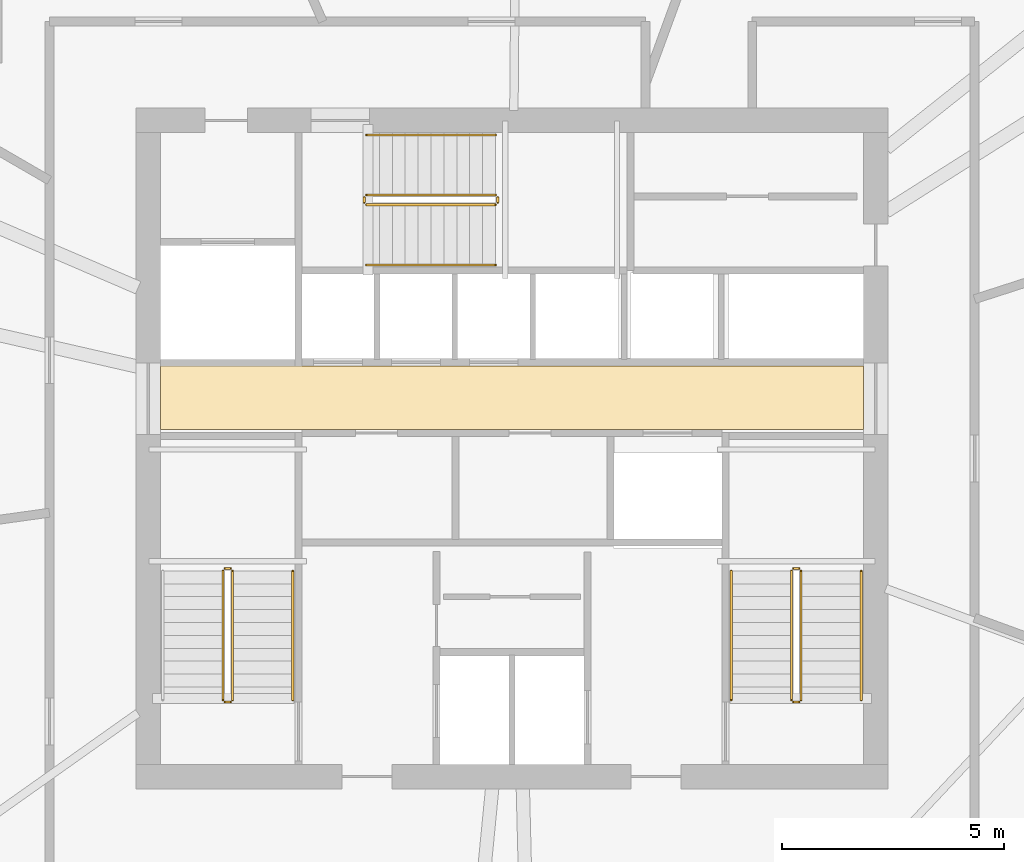
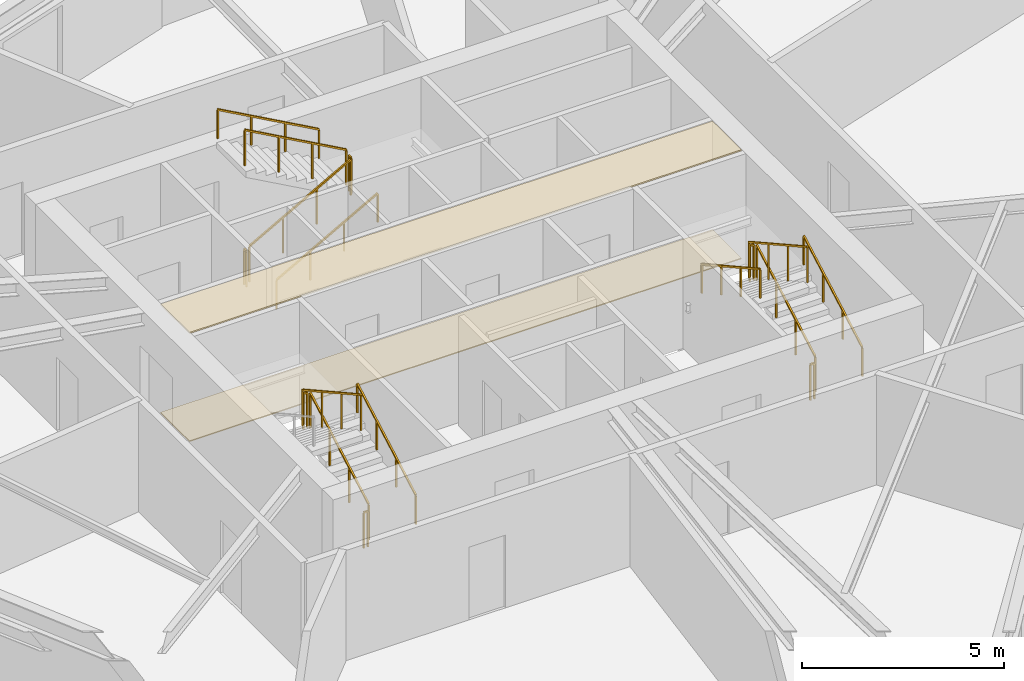
# One storey, part 12 of 13: 17 railings, 2 coverings.
"""IFC4 building model written with IfcOpenShell, lengths in metres."""

from ifc_helpers import new_model, si_unit, direction, frame, origin, origin_2d, place, context, subcontext, project, spatial, polyline, rectangle, outline, extrude, material, layer, layer_set, type_object, element, save


model = new_model("IFC4")

# Units and contexts
model_context = context("Model", 3, precision=1e-05, world=origin(), true_north=direction((0.0, 1.0)))
body_context = subcontext(model_context, "Body", "Model", "MODEL_VIEW")
ifc_project = project(units=[si_unit("LENGTHUNIT", "METRE"), si_unit("AREAUNIT", "SQUARE_METRE"), si_unit("VOLUMEUNIT", "CUBIC_METRE"), si_unit("PLANEANGLEUNIT", "RADIAN"), si_unit("MASSUNIT", "GRAM", prefix="KILO")], contexts=[model_context])

# Site, building, storey
site_placement = place(None, origin())
site = spatial("IfcSite", under=ifc_project, at=site_placement, CompositionType="ELEMENT")
building_placement = place(site_placement, origin())
building = spatial("IfcBuilding", under=site, at=building_placement, Name="Olszyna Solenne Hotel", CompositionType="ELEMENT")
storey_placement = place(building_placement, frame((0.0, 0.0, 175.0)))
storey = spatial("IfcBuildingStorey", under=building, at=storey_placement, Name="L46", CompositionType="ELEMENT", Elevation=175.0)

# Coverings
ifc_material_1 = material(Name="Mineral wool acoustic ceiling")
ifc_layer_1 = layer(ifc_material_1, 0.0400390625, Name="Mineral wool acoustic ceiling")
ifc_layer_set_1 = layer_set([ifc_layer_1], Name="Mineral wool acoustic ceiling")
covering_type_1 = type_object("IfcCoveringType", Name="CL-AC1", PredefinedType="CEILING", material=ifc_layer_set_1)
covering_1_placement = place(storey_placement, frame((0.0, 0.0, 3.27001953125)))
element("IfcCovering", 1, at=covering_1_placement, inside=storey, type_object=covering_type_1, Name="Lift lobby acoustic tile ceiling CL-L46-01", PredefinedType="CEILING", context=body_context, shape_type="SweptSolid", body=[
    extrude(outline(polyline([(30.10009765625, 27.030029296875), (45.89990234375, 27.030029296875), (45.89990234375, 28.4599609375), (30.10009765625, 28.4599609375), (30.10009765625, 27.030029296875)])), origin(), (0.0, 0.0, 1.0), 0.0400390625),
])
ifc_material_2 = material(Name="Ceramic floor tile")
ifc_layer_2 = layer(ifc_material_2, 0.030029296875, Name="Ceramic floor tile")
ifc_layer_set_2 = layer_set([ifc_layer_2], Name="Ceramic floor tile")
covering_type_2 = type_object("IfcCoveringType", Name="FL-TL1", PredefinedType="FLOORING", material=ifc_layer_set_2)
covering_2_placement = place(storey_placement, origin())
element("IfcCovering", 2, at=covering_2_placement, inside=storey, type_object=covering_type_2, Name="Lift lobby stoneware floor finish FLR-L46-01", PredefinedType="FLOORING", context=body_context, shape_type="SweptSolid", body=[
    extrude(outline(polyline([(30.10009765625, 27.030029296875), (45.89990234375, 27.030029296875), (45.89990234375, 28.4599609375), (30.10009765625, 28.4599609375), (30.10009765625, 27.030029296875)])), origin(), (0.0, 0.0, 1.0), 0.030029296875),
])

# Railings
ifc_material_3 = material(Name="Anodised bronze aluminium", Category="aluminium")
railing_type_1 = type_object("IfcRailingType", Name="GR-110", PredefinedType="BALUSTRADE", material=ifc_material_3)
railing_1_placement = place(storey_placement, frame((31.719970703125, 20.949951171875, 0.161376953125)))
element("IfcRailing", 3, at=railing_1_placement, inside=storey, type_object=railing_type_1, Name="L46 ST1 stair guard 1", PredefinedType="BALUSTRADE", context=body_context, shape_type="SweptSolid", body=[
    extrude(rectangle(XDim=0.048095703125, YDim=0.048095703125, at=origin_2d()), frame((0.0, 0.0, 1.076171875), z_axis=(0.0, 0.873858693841, 0.486179990537), x_axis=(-1.0, 0.0, 0.0)), (0.0, 0.0, 1.0), 3.31884765625),
    extrude(rectangle(XDim=0.0419921875, YDim=0.0419921875, at=origin_2d()), origin(), (0.0, 0.0, 1.0), 1.052001953125),
    extrude(rectangle(XDim=0.0419921875, YDim=0.0419921875, at=origin_2d()), frame((0.0, 0.966796875, 0.537841796875)), (0.0, 0.0, 1.0), 1.052001953125),
    extrude(rectangle(XDim=0.0419921875, YDim=0.0419921875, at=origin_2d()), frame((0.0, 1.933349609375, 1.07568359375)), (0.0, 0.0, 1.0), 1.052001953125),
    extrude(rectangle(XDim=0.0419921875, YDim=0.0419921875, at=origin_2d()), frame((0.0, 2.900146484375, 1.613525390625)), (0.0, 0.0, 1.0), 1.052001953125),
])
railing_2_placement = place(storey_placement, frame((31.669921875, 23.89990234375, 1.77490234375)))
element("IfcRailing", 4, at=railing_2_placement, inside=storey, type_object=railing_type_1, Name="L46 ST1 stair guard 2", PredefinedType="BALUSTRADE", context=body_context, shape_type="SweptSolid", body=[
    extrude(rectangle(XDim=0.048095703125, YDim=0.048095703125, at=origin_2d()), frame((0.0, 0.0, 1.076171875), z_axis=(-1.0, 0.0, 0.0), x_axis=(0.0, -1.0, 0.0)), (0.0, 0.0, 1.0), 0.119873046875),
    extrude(rectangle(XDim=0.0419921875, YDim=0.0419921875, at=origin_2d()), origin(), (0.0, 0.0, 1.0), 1.052001953125),
    extrude(rectangle(XDim=0.0419921875, YDim=0.0419921875, at=origin_2d()), frame((-0.119873046875, 0.0, 0.0)), (0.0, 0.0, 1.0), 1.052001953125),
])
railing_3_placement = place(storey_placement, frame((31.5, 23.85009765625, 1.936279296875)))
element("IfcRailing", 5, at=railing_3_placement, inside=storey, type_object=railing_type_1, Name="L46 ST1 stair guard 3", PredefinedType="BALUSTRADE", context=body_context, shape_type="SweptSolid", body=[
    extrude(rectangle(XDim=0.048095703125, YDim=0.048095703125, at=origin_2d()), frame((0.0, 0.0, 1.076171875), z_axis=(0.0, -0.873827439584, 0.48623616261), x_axis=(1.0, 0.0, 0.0)), (0.0, 0.0, 1.0), 3.31884765625),
    extrude(rectangle(XDim=0.0419921875, YDim=0.0419921875, at=origin_2d()), origin(), (0.0, 0.0, 1.0), 1.052001953125),
    extrude(rectangle(XDim=0.0419921875, YDim=0.0419921875, at=origin_2d()), frame((0.0, -0.966796875, 0.537841796875)), (0.0, 0.0, 1.0), 1.052001953125),
    extrude(rectangle(XDim=0.0419921875, YDim=0.0419921875, at=origin_2d()), frame((0.0, -1.933349609375, 1.075927734375)), (0.0, 0.0, 1.0), 1.052001953125),
    extrude(rectangle(XDim=0.0419921875, YDim=0.0419921875, at=origin_2d()), frame((0.0, -2.900146484375, 1.61376953125)), (0.0, 0.0, 1.0), 1.052001953125),
])
railing_4_placement = place(storey_placement, frame((31.669921875, 20.89990234375, 0.0)))
element("IfcRailing", 6, at=railing_4_placement, inside=storey, type_object=railing_type_1, Name="L46 ST1 stair guard 4", PredefinedType="BALUSTRADE", context=body_context, shape_type="SweptSolid", body=[
    extrude(rectangle(XDim=0.048095703125, YDim=0.048095703125, at=origin_2d()), frame((0.0, 0.0, 1.076171875), z_axis=(-1.0, 0.0, 0.0), x_axis=(0.0, -1.0, 0.0)), (0.0, 0.0, 1.0), 0.119873046875),
    extrude(rectangle(XDim=0.0419921875, YDim=0.0419921875, at=origin_2d()), origin(), (0.0, 0.0, 1.0), 1.052001953125),
    extrude(rectangle(XDim=0.0419921875, YDim=0.0419921875, at=origin_2d()), frame((-0.119873046875, 0.0, 0.0)), (0.0, 0.0, 1.0), 1.052001953125),
])
railing_5_placement = place(storey_placement, frame((44.5, 20.949951171875, 0.161376953125)))
element("IfcRailing", 7, at=railing_5_placement, inside=storey, type_object=railing_type_1, Name="L46 ST2 stair guard 1", PredefinedType="BALUSTRADE", context=body_context, shape_type="SweptSolid", body=[
    extrude(rectangle(XDim=0.048095703125, YDim=0.048095703125, at=origin_2d()), frame((0.0, 0.0, 1.076171875), z_axis=(0.0, 0.873858693841, 0.486179990537), x_axis=(-1.0, 0.0, 0.0)), (0.0, 0.0, 1.0), 3.31884765625),
    extrude(rectangle(XDim=0.0419921875, YDim=0.0419921875, at=origin_2d()), origin(), (0.0, 0.0, 1.0), 1.052001953125),
    extrude(rectangle(XDim=0.0419921875, YDim=0.0419921875, at=origin_2d()), frame((0.0, 0.966796875, 0.537841796875)), (0.0, 0.0, 1.0), 1.052001953125),
    extrude(rectangle(XDim=0.0419921875, YDim=0.0419921875, at=origin_2d()), frame((0.0, 1.933349609375, 1.07568359375)), (0.0, 0.0, 1.0), 1.052001953125),
    extrude(rectangle(XDim=0.0419921875, YDim=0.0419921875, at=origin_2d()), frame((0.0, 2.900146484375, 1.613525390625)), (0.0, 0.0, 1.0), 1.052001953125),
])
railing_6_placement = place(storey_placement, frame((44.449951171875, 23.89990234375, 1.77490234375)))
element("IfcRailing", 8, at=railing_6_placement, inside=storey, type_object=railing_type_1, Name="L46 ST2 stair guard 2", PredefinedType="BALUSTRADE", context=body_context, shape_type="SweptSolid", body=[
    extrude(rectangle(XDim=0.048095703125, YDim=0.048095703125, at=origin_2d()), frame((0.0, 0.0, 1.076171875), z_axis=(-1.0, 0.0, 0.0), x_axis=(0.0, -1.0, 0.0)), (0.0, 0.0, 1.0), 0.119873046875),
    extrude(rectangle(XDim=0.0419921875, YDim=0.0419921875, at=origin_2d()), origin(), (0.0, 0.0, 1.0), 1.052001953125),
    extrude(rectangle(XDim=0.0419921875, YDim=0.0419921875, at=origin_2d()), frame((-0.119873046875, 0.0, 0.0)), (0.0, 0.0, 1.0), 1.052001953125),
])
railing_7_placement = place(storey_placement, frame((44.280029296875, 23.85009765625, 1.936279296875)))
element("IfcRailing", 9, at=railing_7_placement, inside=storey, type_object=railing_type_1, Name="L46 ST2 stair guard 3", PredefinedType="BALUSTRADE", context=body_context, shape_type="SweptSolid", body=[
    extrude(rectangle(XDim=0.048095703125, YDim=0.048095703125, at=origin_2d()), frame((0.0, 0.0, 1.076171875), z_axis=(0.0, -0.873827439584, 0.48623616261), x_axis=(1.0, 0.0, 0.0)), (0.0, 0.0, 1.0), 3.31884765625),
    extrude(rectangle(XDim=0.0419921875, YDim=0.0419921875, at=origin_2d()), origin(), (0.0, 0.0, 1.0), 1.052001953125),
    extrude(rectangle(XDim=0.0419921875, YDim=0.0419921875, at=origin_2d()), frame((0.0, -0.966796875, 0.537841796875)), (0.0, 0.0, 1.0), 1.052001953125),
    extrude(rectangle(XDim=0.0419921875, YDim=0.0419921875, at=origin_2d()), frame((0.0, -1.933349609375, 1.075927734375)), (0.0, 0.0, 1.0), 1.052001953125),
    extrude(rectangle(XDim=0.0419921875, YDim=0.0419921875, at=origin_2d()), frame((0.0, -2.900146484375, 1.61376953125)), (0.0, 0.0, 1.0), 1.052001953125),
])
railing_8_placement = place(storey_placement, frame((44.449951171875, 20.89990234375, 0.0)))
element("IfcRailing", 10, at=railing_8_placement, inside=storey, type_object=railing_type_1, Name="L46 ST2 stair guard 4", PredefinedType="BALUSTRADE", context=body_context, shape_type="SweptSolid", body=[
    extrude(rectangle(XDim=0.048095703125, YDim=0.048095703125, at=origin_2d()), frame((0.0, 0.0, 1.076171875), z_axis=(-1.0, 0.0, 0.0), x_axis=(0.0, -1.0, 0.0)), (0.0, 0.0, 1.0), 0.119873046875),
    extrude(rectangle(XDim=0.0419921875, YDim=0.0419921875, at=origin_2d()), origin(), (0.0, 0.0, 1.0), 1.052001953125),
    extrude(rectangle(XDim=0.0419921875, YDim=0.0419921875, at=origin_2d()), frame((-0.119873046875, 0.0, 0.0)), (0.0, 0.0, 1.0), 1.052001953125),
])
railing_9_placement = place(storey_placement, frame((34.72998046875, 32.080078125, 0.161376953125)))
element("IfcRailing", 11, at=railing_9_placement, inside=storey, type_object=railing_type_1, Name="L46 ST3 stair guard 1", PredefinedType="BALUSTRADE", context=body_context, shape_type="SweptSolid", body=[
    extrude(rectangle(XDim=0.048095703125, YDim=0.048095703125, at=origin_2d()), frame((0.0, 0.0, 1.076171875), z_axis=(0.873841303929, 0.0, 0.486211245805), x_axis=(0.0, 1.0, 0.0)), (0.0, 0.0, 1.0), 3.318603515625),
    extrude(rectangle(XDim=0.0419921875, YDim=0.0419921875, at=origin_2d()), origin(), (0.0, 0.0, 1.0), 1.052001953125),
    extrude(rectangle(XDim=0.0419921875, YDim=0.0419921875, at=origin_2d()), frame((0.966552734375, 0.0, 0.537841796875)), (0.0, 0.0, 1.0), 1.052001953125),
    extrude(rectangle(XDim=0.0419921875, YDim=0.0419921875, at=origin_2d()), frame((1.933349609375, 0.0, 1.07568359375)), (0.0, 0.0, 1.0), 1.052001953125),
    extrude(rectangle(XDim=0.0419921875, YDim=0.0419921875, at=origin_2d()), frame((2.89990234375, 0.0, 1.613525390625)), (0.0, 0.0, 1.0), 1.052001953125),
])
railing_10_placement = place(storey_placement, frame((37.679931640625, 32.1298828125, 1.77490234375)))
element("IfcRailing", 12, at=railing_10_placement, inside=storey, type_object=railing_type_1, Name="L46 ST3 stair guard 2", PredefinedType="BALUSTRADE", context=body_context, shape_type="SweptSolid", body=[
    extrude(rectangle(XDim=0.048095703125, YDim=0.048095703125, at=origin_2d()), frame((0.0, 0.0, 1.076171875), z_axis=(0.0, 1.0, 0.0), x_axis=(-1.0, 0.0, 0.0)), (0.0, 0.0, 1.0), 0.1201171875),
    extrude(rectangle(XDim=0.0419921875, YDim=0.0419921875, at=origin_2d()), origin(), (0.0, 0.0, 1.0), 1.052001953125),
    extrude(rectangle(XDim=0.0419921875, YDim=0.0419921875, at=origin_2d()), frame((0.0, 0.1201171875, 0.0)), (0.0, 0.0, 1.0), 1.052001953125),
])
railing_11_placement = place(storey_placement, frame((37.6298828125, 32.300048828125, 1.936279296875)))
element("IfcRailing", 13, at=railing_11_placement, inside=storey, type_object=railing_type_1, Name="L46 ST3 stair guard 3", PredefinedType="BALUSTRADE", context=body_context, shape_type="SweptSolid", body=[
    extrude(rectangle(XDim=0.048095703125, YDim=0.048095703125, at=origin_2d()), frame((0.0, 0.0, 1.076171875), z_axis=(-0.873810046276, 0.0, 0.486267419253), x_axis=(0.0, -1.0, 0.0)), (0.0, 0.0, 1.0), 3.318603515625),
    extrude(rectangle(XDim=0.0419921875, YDim=0.0419921875, at=origin_2d()), origin(), (0.0, 0.0, 1.0), 1.052001953125),
    extrude(rectangle(XDim=0.0419921875, YDim=0.0419921875, at=origin_2d()), frame((-0.966552734375, 0.0, 0.537841796875)), (0.0, 0.0, 1.0), 1.052001953125),
    extrude(rectangle(XDim=0.0419921875, YDim=0.0419921875, at=origin_2d()), frame((-1.933349609375, 0.0, 1.075927734375)), (0.0, 0.0, 1.0), 1.052001953125),
    extrude(rectangle(XDim=0.0419921875, YDim=0.0419921875, at=origin_2d()), frame((-2.89990234375, 0.0, 1.61376953125)), (0.0, 0.0, 1.0), 1.052001953125),
])
railing_12_placement = place(storey_placement, frame((34.679931640625, 32.1298828125, 0.0)))
element("IfcRailing", 14, at=railing_12_placement, inside=storey, type_object=railing_type_1, Name="L46 ST3 stair guard 4", PredefinedType="BALUSTRADE", context=body_context, shape_type="SweptSolid", body=[
    extrude(rectangle(XDim=0.048095703125, YDim=0.048095703125, at=origin_2d()), frame((0.0, 0.0, 1.076171875), z_axis=(0.0, 1.0, 0.0), x_axis=(-1.0, 0.0, 0.0)), (0.0, 0.0, 1.0), 0.1201171875),
    extrude(rectangle(XDim=0.0419921875, YDim=0.0419921875, at=origin_2d()), origin(), (0.0, 0.0, 1.0), 1.052001953125),
    extrude(rectangle(XDim=0.0419921875, YDim=0.0419921875, at=origin_2d()), frame((0.0, 0.1201171875, 0.0)), (0.0, 0.0, 1.0), 1.052001953125),
])
ifc_material_4 = material(Name="Steel S355J2", Category="steel")
railing_type_2 = type_object("IfcRailingType", Name="HR-090", PredefinedType="HANDRAIL", material=ifc_material_4)
for number, where, name in (
    (15, (33.070068359375, 20.949951171875, 0.161376953125), "L46 ST1 stair handrail 1"),
    (16, (45.85009765625, 20.949951171875, 0.161376953125), "L46 ST2 stair handrail 1"),
):
    element("IfcRailing", number, at=place(storey_placement, frame(where)), inside=storey, type_object=railing_type_2, Name=name, PredefinedType="HANDRAIL", context=body_context, shape_type="SweptSolid", body=[
        extrude(rectangle(XDim=0.048095703125, YDim=0.048095703125, at=origin_2d()), frame((0.0, 0.0, 0.8759765625), z_axis=(0.0, 0.873858693841, 0.486179990537), x_axis=(-1.0, 0.0, 0.0)), (0.0, 0.0, 1.0), 3.31884765625),
        extrude(rectangle(XDim=0.0419921875, YDim=0.0419921875, at=origin_2d()), origin(), (0.0, 0.0, 1.0), 0.851806640625),
        extrude(rectangle(XDim=0.0419921875, YDim=0.0419921875, at=origin_2d()), frame((0.0, 0.966796875, 0.537841796875)), (0.0, 0.0, 1.0), 0.851806640625),
        extrude(rectangle(XDim=0.0419921875, YDim=0.0419921875, at=origin_2d()), frame((0.0, 1.933349609375, 1.07568359375)), (0.0, 0.0, 1.0), 0.851806640625),
        extrude(rectangle(XDim=0.0419921875, YDim=0.0419921875, at=origin_2d()), frame((0.0, 2.900146484375, 1.613525390625)), (0.0, 0.0, 1.0), 0.851806640625),
    ])
railing_13_placement = place(storey_placement, frame((42.929931640625, 23.85009765625, 1.936279296875)))
element("IfcRailing", 17, at=railing_13_placement, inside=storey, type_object=railing_type_2, Name="L46 ST2 stair handrail 2", PredefinedType="HANDRAIL", context=body_context, shape_type="SweptSolid", body=[
    extrude(rectangle(XDim=0.048095703125, YDim=0.048095703125, at=origin_2d()), frame((0.0, 0.0, 0.8759765625), z_axis=(0.0, -0.873827439584, 0.48623616261), x_axis=(1.0, 0.0, 0.0)), (0.0, 0.0, 1.0), 3.31884765625),
    extrude(rectangle(XDim=0.0419921875, YDim=0.0419921875, at=origin_2d()), origin(), (0.0, 0.0, 1.0), 0.851806640625),
    extrude(rectangle(XDim=0.0419921875, YDim=0.0419921875, at=origin_2d()), frame((0.0, -0.966796875, 0.537841796875)), (0.0, 0.0, 1.0), 0.851806640625),
    extrude(rectangle(XDim=0.0419921875, YDim=0.0419921875, at=origin_2d()), frame((0.0, -1.933349609375, 1.075927734375)), (0.0, 0.0, 1.0), 0.851806640625),
    extrude(rectangle(XDim=0.0419921875, YDim=0.0419921875, at=origin_2d()), frame((0.0, -2.900146484375, 1.61376953125)), (0.0, 0.0, 1.0), 0.851806640625),
])
railing_14_placement = place(storey_placement, frame((34.72998046875, 30.72998046875, 0.161376953125)))
element("IfcRailing", 18, at=railing_14_placement, inside=storey, type_object=railing_type_2, Name="L46 ST3 stair handrail 1", PredefinedType="HANDRAIL", context=body_context, shape_type="SweptSolid", body=[
    extrude(rectangle(XDim=0.048095703125, YDim=0.048095703125, at=origin_2d()), frame((0.0, 0.0, 0.8759765625), z_axis=(0.873841303929, 0.0, 0.486211245805), x_axis=(0.0, 1.0, 0.0)), (0.0, 0.0, 1.0), 3.318603515625),
    extrude(rectangle(XDim=0.0419921875, YDim=0.0419921875, at=origin_2d()), origin(), (0.0, 0.0, 1.0), 0.851806640625),
    extrude(rectangle(XDim=0.0419921875, YDim=0.0419921875, at=origin_2d()), frame((0.966552734375, 0.0, 0.537841796875)), (0.0, 0.0, 1.0), 0.851806640625),
    extrude(rectangle(XDim=0.0419921875, YDim=0.0419921875, at=origin_2d()), frame((1.933349609375, 0.0, 1.07568359375)), (0.0, 0.0, 1.0), 0.851806640625),
    extrude(rectangle(XDim=0.0419921875, YDim=0.0419921875, at=origin_2d()), frame((2.89990234375, 0.0, 1.613525390625)), (0.0, 0.0, 1.0), 0.851806640625),
])
railing_15_placement = place(storey_placement, frame((37.6298828125, 33.64990234375, 1.936279296875)))
element("IfcRailing", 19, at=railing_15_placement, inside=storey, type_object=railing_type_2, Name="L46 ST3 stair handrail 2", PredefinedType="HANDRAIL", context=body_context, shape_type="SweptSolid", body=[
    extrude(rectangle(XDim=0.048095703125, YDim=0.048095703125, at=origin_2d()), frame((0.0, 0.0, 0.8759765625), z_axis=(-0.873810046276, 0.0, 0.486267419253), x_axis=(0.0, -1.0, 0.0)), (0.0, 0.0, 1.0), 3.318603515625),
    extrude(rectangle(XDim=0.0419921875, YDim=0.0419921875, at=origin_2d()), origin(), (0.0, 0.0, 1.0), 0.851806640625),
    extrude(rectangle(XDim=0.0419921875, YDim=0.0419921875, at=origin_2d()), frame((-0.966552734375, 0.0, 0.537841796875)), (0.0, 0.0, 1.0), 0.851806640625),
    extrude(rectangle(XDim=0.0419921875, YDim=0.0419921875, at=origin_2d()), frame((-1.933349609375, 0.0, 1.075927734375)), (0.0, 0.0, 1.0), 0.851806640625),
    extrude(rectangle(XDim=0.0419921875, YDim=0.0419921875, at=origin_2d()), frame((-2.89990234375, 0.0, 1.61376953125)), (0.0, 0.0, 1.0), 0.851806640625),
])

save(model, "model.ifc")
